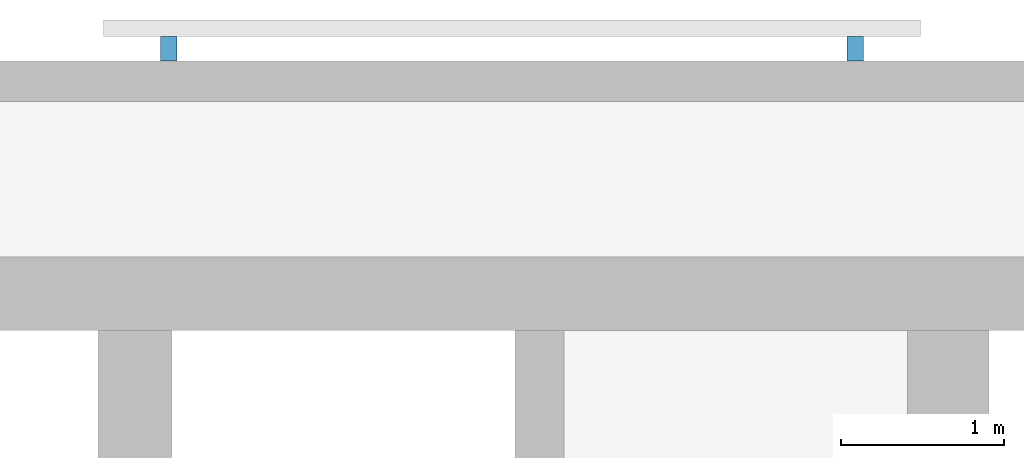
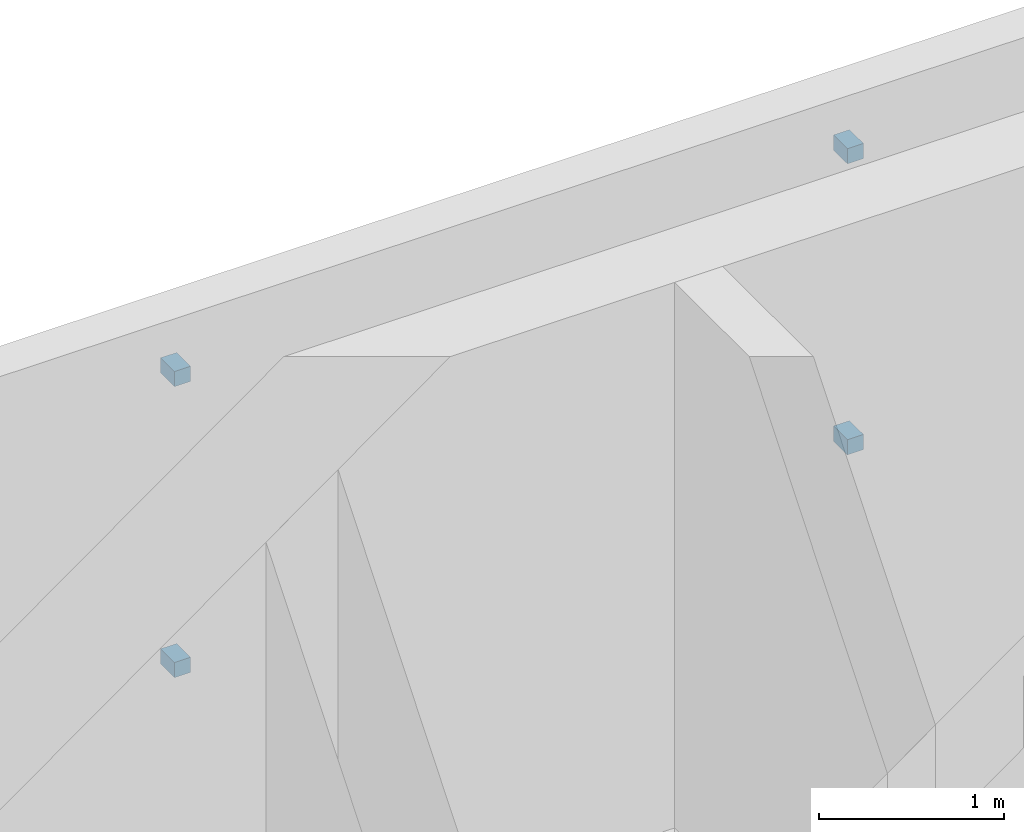
# One storey, part 11 of 14: 4 discrete accessories.
"""IFC4 building model written with IfcOpenShell, lengths in metres."""

from ifc_helpers import new_model, si_unit, direction, frame, origin, origin_2d, place, context, subcontext, project, spatial, rectangle, extrude, material, type_object, element, save


model = new_model("IFC4")

# Units and contexts
model_context = context("Model", 3, precision=1e-05, world=origin(), true_north=direction((0.0, 1.0)))
body_context = subcontext(model_context, "Body", "Model", "MODEL_VIEW")
ifc_project = project(units=[si_unit("LENGTHUNIT", "METRE"), si_unit("AREAUNIT", "SQUARE_METRE"), si_unit("VOLUMEUNIT", "CUBIC_METRE"), si_unit("PLANEANGLEUNIT", "RADIAN"), si_unit("MASSUNIT", "GRAM", prefix="KILO")], contexts=[model_context])

# Site, building, storey
site_placement = place(None, origin())
site = spatial("IfcSite", under=ifc_project, at=site_placement, CompositionType="ELEMENT")
building_placement = place(site_placement, origin())
building = spatial("IfcBuilding", under=site, at=building_placement, Name="Torana Hotel and Residences", CompositionType="ELEMENT")
storey_placement = place(building_placement, frame((0.0, 0.0, 74.39990234375)))
storey = spatial("IfcBuildingStorey", under=building, at=storey_placement, Name="L18", CompositionType="ELEMENT", Elevation=74.39990234375)

# Discrete accessories
ifc_material = material(Name="Steel S355", Category="steel")
discrete_accessory_type = type_object("IfcDiscreteAccessoryType", Name="SCREEN BRACKET 100", PredefinedType="BRACKET", material=ifc_material)
for number, where, z_axis, x_axis, name in (
    (1, (23.681396484375, 1.27490234375, 0.75), (0.0, 0.0, 1.0), (-1.0, 0.0, 0.0), "Screen bracket L18"),
    (2, (23.681396484375, 1.27490234375, 2.670166015625), (0.0, 0.0, 1.0), (-1.0, 0.0, 0.0), "Screen bracket L18"),
    (3, (19.4814453125, 1.27490234375, 0.75), (0.0, 0.0, 1.0), (-1.0, 0.0, 0.0), "Screen bracket L18"),
    (4, (19.4814453125, 1.27490234375, 2.670166015625), (0.0, 0.0, 1.0), (-1.0, 0.0, 0.0), "Screen bracket L18"),
):
    element("IfcDiscreteAccessory", number, at=place(storey_placement, frame(where, z_axis=z_axis, x_axis=x_axis)), inside=storey, type_object=discrete_accessory_type, Name=name, PredefinedType="BRACKET", context=body_context, shape_type="SweptSolid", body=[
        extrude(rectangle(XDim=0.10009765625, YDim=0.14990234375, at=origin_2d()), origin(), (0.0, 0.0, 1.0), 0.10009765625),
    ])

save(model, "model.ifc")
